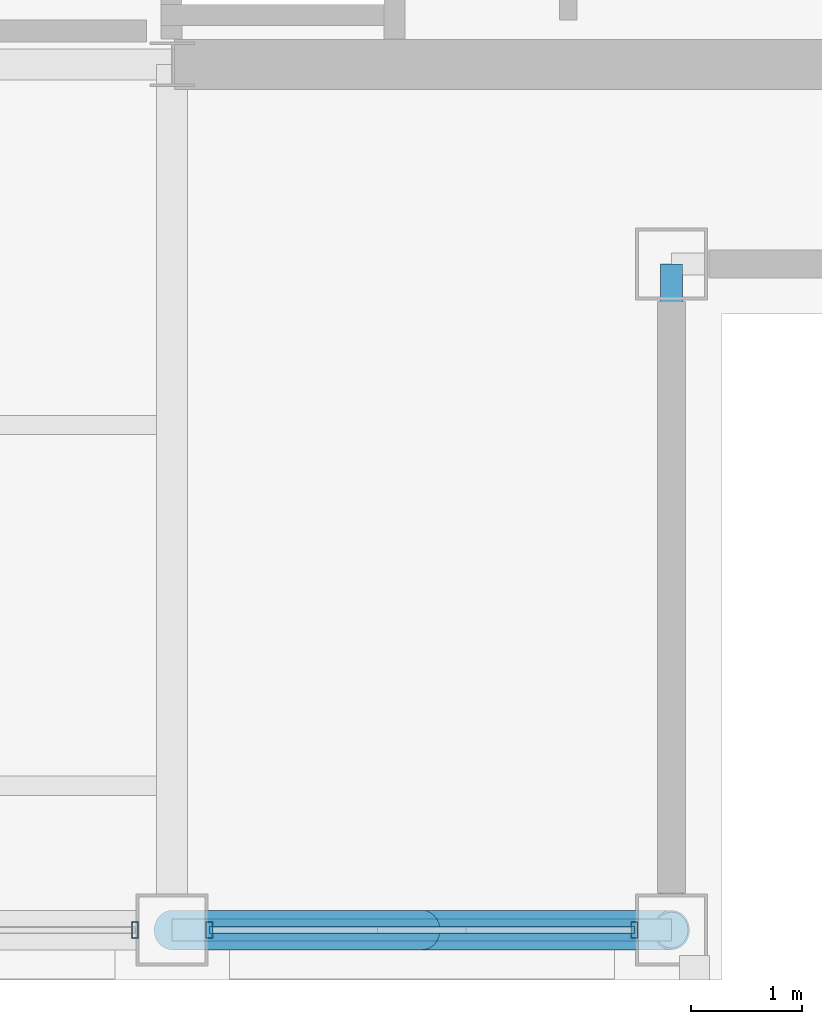
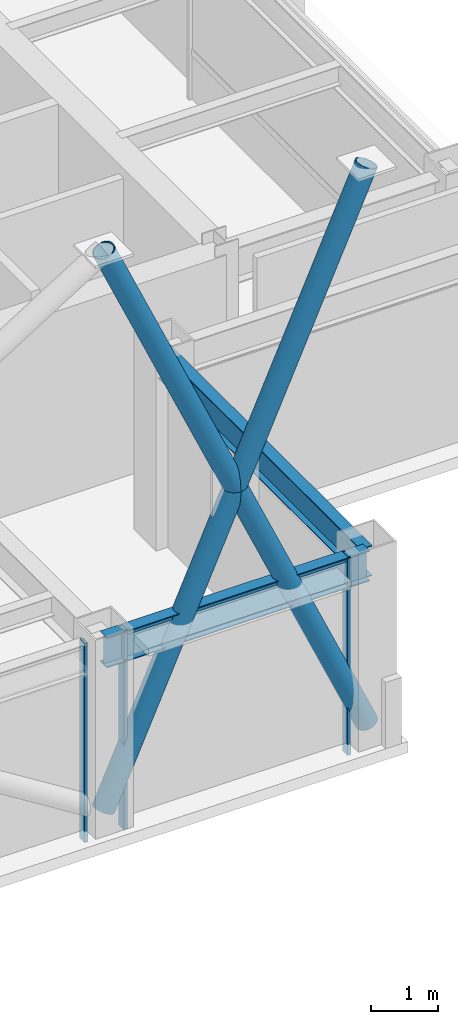
# One storey, part 8 of 28: 7 members, 2 beams, 2 elements without a shape of their own.
"""IFC4 building model written with IfcOpenShell, lengths in metres."""

from ifc_helpers import new_model, si_unit, direction, frame, origin, origin_2d, place, context, subcontext, project, spatial, hollow_rectangle, hollow_circle, i_section, extrude, material, layer, layer_set, material_profile, profile_set, type_object, element, aggregate, save


model = new_model("IFC4")

# Units and contexts
model_context = context("Model", 3, precision=1e-05, world=origin(), true_north=direction((0.0, 1.0)))
body_context = subcontext(model_context, "Body", "Model", "MODEL_VIEW")
ifc_project = project(units=[si_unit("LENGTHUNIT", "METRE"), si_unit("AREAUNIT", "SQUARE_METRE"), si_unit("VOLUMEUNIT", "CUBIC_METRE"), si_unit("PLANEANGLEUNIT", "RADIAN"), si_unit("MASSUNIT", "GRAM", prefix="KILO")], contexts=[model_context])

# Site, building, storey
site_placement = place(None, origin())
site = spatial("IfcSite", under=ifc_project, at=site_placement, CompositionType="ELEMENT")
building_placement = place(site_placement, origin())
building = spatial("IfcBuilding", under=site, at=building_placement, Name="Brelmoor Portico Tower", CompositionType="ELEMENT")
storey_placement = place(building_placement, frame((0.0, 0.0, 225.60009765625)))
storey = spatial("IfcBuildingStorey", under=building, at=storey_placement, Name="L59", CompositionType="ELEMENT", Elevation=225.60009765625)

# Beams
ifc_material_1 = material(Name="Steel Q355B", Category="steel")
ifc_material_profile_1 = material_profile(ifc_material_1, i_section(OverallWidth=0.199951171875, OverallDepth=0.550048828125, WebThickness=0.010009765625, FlangeThickness=0.01611328125, at=origin_2d()), Name="HN 550x200x10x16")
ifc_profile_set_1 = profile_set([ifc_material_profile_1], Name="Steel Q355B")
beam_type = type_object("IfcBeamType", Name="BM-SP-550", PredefinedType="SPANDREL", material=ifc_profile_set_1)
beam_1_placement = place(storey_placement, frame((8.050048828125, -17.550048828125, 3.125), z_axis=(1.0, 0.0, 0.0), x_axis=(0.0, 1.0, 0.0)))
element("IfcBeam", 1, at=beam_1_placement, inside=storey, type_object=beam_type, Name="L59 Perimeter Spandrel Beam SP-03", PredefinedType="SPANDREL", context=body_context, shape_type="SweptSolid", body=[
    extrude(i_section(OverallWidth=0.199951171875, OverallDepth=0.550048828125, WebThickness=0.010009765625, FlangeThickness=0.01611328125, at=origin_2d()), origin(), (0.0, 0.0, 1.0), 4.5),
])
beam_2_placement = place(storey_placement, frame((12.550048828125, -17.550048828125, 3.125), z_axis=(0.0, 1.0, 0.0), x_axis=(-1.0, 0.0, 0.0)))
element("IfcBeam", 2, at=beam_2_placement, inside=storey, type_object=beam_type, Name="L59 Perimeter Spandrel Beam SP-16", PredefinedType="SPANDREL", context=body_context, shape_type="SweptSolid", body=[
    extrude(i_section(OverallWidth=0.199951171875, OverallDepth=0.550048828125, WebThickness=0.010009765625, FlangeThickness=0.01611328125, at=origin_2d()), origin(), (0.0, 0.0, 1.0), 6.0),
])

# Members
ifc_material_profile_2 = material_profile(ifc_material_1, hollow_circle(Radius=0.177978515625, WallThickness=0.01611328125, at=origin_2d()), Name="CHS 356x16")
ifc_profile_set_2 = profile_set([ifc_material_profile_2], Name="Steel Q355B")
member_type_1 = type_object("IfcMemberType", Name="MB-BELT-DIAG2", PredefinedType="BRACE", material=ifc_profile_set_2)
member_1_placement = place(storey_placement, frame((8.050048828125, -17.550048828125, 0.25), z_axis=(0.406982348496, 0.0, 0.913436022945), x_axis=(0.0, 1.0, 0.0)))
element("IfcMember", 3, at=member_1_placement, inside=storey, type_object=member_type_1, Name="L59 Continuous Mega-X Brace 135A", PredefinedType="BRACE", context=body_context, shape_type="SweptSolid", body=[
    extrude(hollow_circle(Radius=0.177978515625, WallThickness=0.01611328125, at=origin_2d()), origin(), (0.0, 0.0, 1.0), 11.056884765625),
])
member_2_placement = place(storey_placement, frame((12.550048828125, -17.550048828125, 0.25), z_axis=(-0.406990557013, 0.0, 0.913432365587), x_axis=(0.0, -1.0, 0.0)))
element("IfcMember", 4, at=member_2_placement, inside=storey, type_object=member_type_1, Name="L59 Split Mega-X Brace 135B1", PredefinedType="BRACE", context=body_context, shape_type="SweptSolid", body=[
    extrude(hollow_circle(Radius=0.177978515625, WallThickness=0.01611328125, at=origin_2d()), origin(), (0.0, 0.0, 1.0), 5.5283203125),
])
member_3_placement = place(storey_placement, frame((10.300048828125, -17.550048828125, 5.2998046875), z_axis=(-0.406974140277, 0.0, 0.913439680081), x_axis=(0.0, -1.0, 0.0)))
element("IfcMember", 5, at=member_3_placement, inside=storey, type_object=member_type_1, Name="L59 Split Mega-X Brace 135B2", PredefinedType="BRACE", context=body_context, shape_type="SweptSolid", body=[
    extrude(hollow_circle(Radius=0.177978515625, WallThickness=0.01611328125, at=origin_2d()), origin(), (0.0, 0.0, 1.0), 5.528564453125),
])

# Curtain wall, member
ifc_material_2 = material(Name="Anodised Aluminium Alloy 6063-T6", Category="aluminium")
ifc_layer = layer(ifc_material_2, 0.179931640625)
ifc_layer_set = layer_set([ifc_layer], Name="Anodised Aluminium Alloy 6063-T6")
curtain_wall_type = type_object("IfcCurtainWallType", Name="CW-TOWER-Z4-XB", PredefinedType="NOTDEFINED", material=ifc_layer_set)
curtain_wall_1_placement = place(storey_placement, origin())
curtain_wall_1 = element("IfcCurtainWall", 6, at=curtain_wall_1_placement, inside=storey, type_object=curtain_wall_type, Name="L59 Curtain Wall CW-L59-01-2", PredefinedType="NOTDEFINED")
ifc_material_profile_3 = material_profile(ifc_material_2, hollow_rectangle(XDim=0.06005859375, YDim=0.14990234375, WallThickness=0.00390625, at=origin_2d()), Name="ALU MULLION 60x150")
ifc_profile_set_3 = profile_set([ifc_material_profile_3], Name="Anodised Aluminium Alloy 6063-T6")
member_type_2 = type_object("IfcMemberType", Name="MB-CW-MULL-150", PredefinedType="MULLION", material=ifc_profile_set_3)
member_4_placement = place(storey_placement, frame((7.715087890625, -17.550048828125, -0.2001953125), z_axis=(0.0, 0.0, 1.0), x_axis=(1.0, 0.0, 0.0)))
member_4 = element("IfcMember", 7, at=member_4_placement, type_object=member_type_2, Name="CW-L59-01-2 Mullion 01", PredefinedType="MULLION", context=body_context, shape_type="SweptSolid", body=[
    extrude(hollow_rectangle(XDim=0.06005859375, YDim=0.14990234375, WallThickness=0.00390625, at=origin_2d()), origin(), (0.0, 0.0, 1.0), 3.60009765625),
])
aggregate(curtain_wall_1, [member_4])

# Curtain wall, members
curtain_wall_2_placement = place(storey_placement, origin())
curtain_wall_2 = element("IfcCurtainWall", 8, at=curtain_wall_2_placement, inside=storey, type_object=curtain_wall_type, Name="L59 Curtain Wall CW-L59-01-3", PredefinedType="NOTDEFINED")
member_5_placement = place(storey_placement, frame((8.385009765625, -17.550048828125, -0.2001953125), z_axis=(0.0, 0.0, 1.0), x_axis=(1.0, 0.0, 0.0)))
member_5 = element("IfcMember", 9, at=member_5_placement, type_object=member_type_2, Name="CW-L59-01-3 Mullion 00", PredefinedType="MULLION", context=body_context, shape_type="SweptSolid", body=[
    extrude(hollow_rectangle(XDim=0.06005859375, YDim=0.14990234375, WallThickness=0.00390625, at=origin_2d()), origin(), (0.0, 0.0, 1.0), 3.60009765625),
])
member_6_placement = place(storey_placement, frame((12.215087890625, -17.550048828125, -0.2001953125), z_axis=(0.0, 0.0, 1.0), x_axis=(1.0, 0.0, 0.0)))
member_6 = element("IfcMember", 10, at=member_6_placement, type_object=member_type_2, Name="CW-L59-01-3 Mullion 01", PredefinedType="MULLION", context=body_context, shape_type="SweptSolid", body=[
    extrude(hollow_rectangle(XDim=0.06005859375, YDim=0.14990234375, WallThickness=0.00390625, at=origin_2d()), origin(), (0.0, 0.0, 1.0), 3.60009765625),
])
ifc_material_profile_4 = material_profile(ifc_material_2, hollow_rectangle(XDim=0.06005859375, YDim=0.125, WallThickness=0.00341796875, at=origin_2d()), Name="ALU TRANSOM 60x125")
ifc_profile_set_4 = profile_set([ifc_material_profile_4], Name="Anodised Aluminium Alloy 6063-T6")
member_type_3 = type_object("IfcMemberType", Name="MB-CW-TRAN-125", PredefinedType="USERDEFINED", material=ifc_profile_set_4)
member_7_placement = place(storey_placement, frame((8.385009765625, -17.550048828125, 3.33740234375), z_axis=(1.0, 0.0, 0.0), x_axis=(0.0, 1.0, 0.0)))
member_7 = element("IfcMember", 11, at=member_7_placement, type_object=member_type_3, Name="CW-L59-01-3 Transom 1-00", ObjectType="TRANSOM", PredefinedType="USERDEFINED", context=body_context, shape_type="SweptSolid", body=[
    extrude(hollow_rectangle(XDim=0.06005859375, YDim=0.125, WallThickness=0.00341796875, at=origin_2d()), origin(), (0.0, 0.0, 1.0), 3.830078125),
])
aggregate(curtain_wall_2, [member_5, member_6, member_7])

save(model, "model.ifc")
